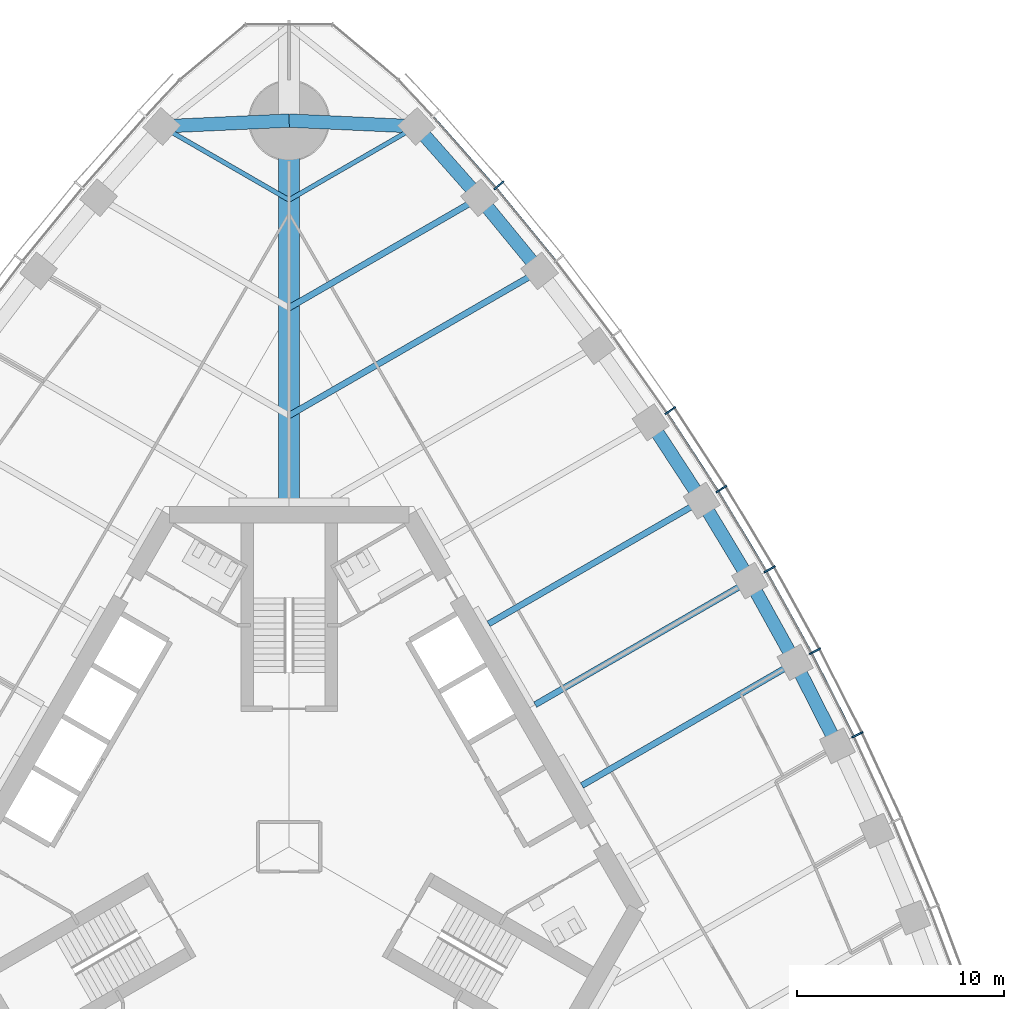
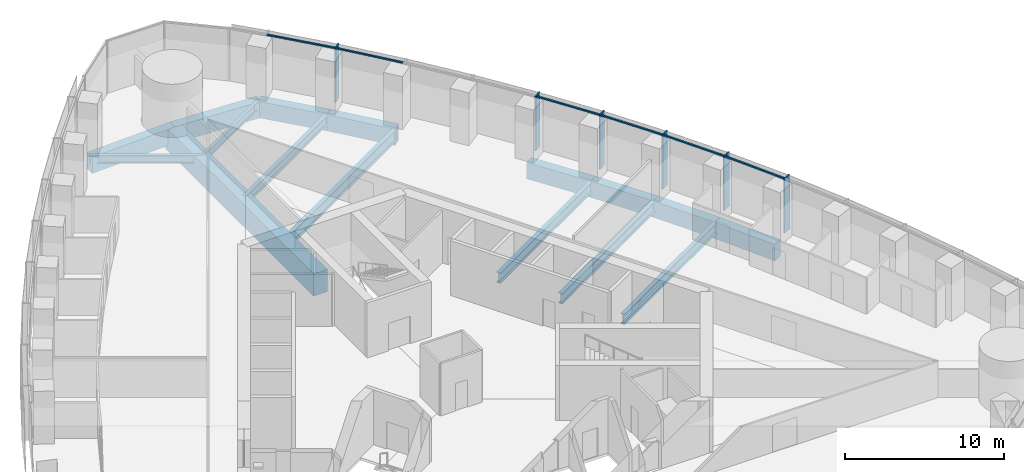
# One storey, part 6 of 19: 16 beams, 12 members, 1 element without a shape of its own.
"""IFC4 building model written with IfcOpenShell, lengths in metres."""

import ifcopenshell
import ifcopenshell.guid

model = None  # the IFC model being written
_history = None  # IfcOwnerHistory: only IFC2X3 demands one
_inside = {}  # id of a spatial element -> (the spatial element, [elements in it])
_under = {}  # id of a project, library or spatial element -> (it, [spatial elements below it])
_declared = {}  # id of a project -> (the project, [libraries it declares])
_typed = {}  # id of a type object -> (the type object, [elements of that type])
_made_of = {}  # id of a material, layer set ... -> (it, [elements and type objects made of it])


def new_model(schema):
    """Start an empty IFC model of exactly this schema.

    Asked for "IFC4X3", IfcOpenShell would pick the latest addendum, in which some entities
    have other attributes; the version numbers below select the first issue.
    IFC2X3 requires an IfcOwnerHistory on every rooted entity: one is made here for all.
    """
    global model, _history
    if schema == "IFC4X3":
        model = ifcopenshell.file(schema_version=(4, 3, 0, 0))
    else:
        model = ifcopenshell.file(schema=schema)
    _inside.clear()
    _under.clear()
    _declared.clear()
    _typed.clear()
    _made_of.clear()
    _history = None
    if model.schema == "IFC2X3":
        org = make("IfcOrganization", Name="unknown")
        user = make(
            "IfcPersonAndOrganization",
            ThePerson=make("IfcPerson", FamilyName="unknown"),
            TheOrganization=org,
        )
        app = make(
            "IfcApplication",
            ApplicationDeveloper=org,
            Version="unknown",
            ApplicationFullName="unknown",
            ApplicationIdentifier="unknown",
        )
        _history = make(
            "IfcOwnerHistory",
            OwningUser=user,
            OwningApplication=app,
            ChangeAction="ADDED",
            CreationDate=0,
        )
    return model


def make(cls, **values):
    """One entity of the class cls with the attributes given. An attribute that is None is left unset."""
    return model.create_entity(
        cls, **{name: value for name, value in values.items() if value is not None}
    )


def rooted(cls, **values):
    """An entity with a GlobalId (a new one), such as an element, a storey or a relation."""
    return make(cls, GlobalId=ifcopenshell.guid.new(), OwnerHistory=_history, **values)


def si_unit(unit_type, name, prefix=None):
    """IfcSIUnit, for example si_unit("LENGTHUNIT", "METRE", prefix="MILLI")."""
    return make("IfcSIUnit", UnitType=unit_type, Prefix=prefix, Name=name)


def assignment(units):
    """IfcUnitAssignment: the units of a project."""
    return None if units is None else make("IfcUnitAssignment", Units=units)


def point(xyz):
    """IfcCartesianPoint."""
    return None if xyz is None else make("IfcCartesianPoint", Coordinates=xyz)


def direction(xyz):
    """IfcDirection."""
    return None if xyz is None else make("IfcDirection", DirectionRatios=xyz)


def frame(location, z_axis=None, x_axis=None):
    """IfcAxis2Placement3D, a coordinate frame: its origin and axes. An axis left out is left unset."""
    return make(
        "IfcAxis2Placement3D",
        Location=point(location),
        Axis=direction(z_axis),
        RefDirection=direction(x_axis),
    )


def frame_2d(location, x_axis=None):
    """IfcAxis2Placement2D, a coordinate frame in the plane: its origin and x axis."""
    return make(
        "IfcAxis2Placement2D", Location=point(location), RefDirection=direction(x_axis)
    )


def origin():
    """The frame at (0, 0, 0) with its axes left unset."""
    return frame((0.0, 0.0, 0.0))


def origin_2d():
    """The frame at (0, 0) in the plane with its x axis left unset."""
    return frame_2d((0.0, 0.0))


def place(relative_to, where):
    """IfcLocalPlacement: puts the frame where relative to a parent placement (None: the world)."""
    return make(
        "IfcLocalPlacement", PlacementRelTo=relative_to, RelativePlacement=where
    )


def context(
    kind, dimensions, precision=None, world=None, true_north=None, identifier=None
):
    """IfcGeometricRepresentationContext, for example the 3D "Model" context."""
    return make(
        "IfcGeometricRepresentationContext",
        ContextIdentifier=identifier,
        ContextType=kind,
        CoordinateSpaceDimension=dimensions,
        Precision=precision,
        WorldCoordinateSystem=world,
        TrueNorth=true_north,
    )


def subcontext(parent, identifier, kind, view, scale=None):
    """IfcGeometricRepresentationSubContext, for example "Body" below "Model"."""
    return make(
        "IfcGeometricRepresentationSubContext",
        ContextIdentifier=identifier,
        ContextType=kind,
        ParentContext=parent,
        TargetScale=scale,
        TargetView=view,
    )


def project(units=None, contexts=None):
    """IfcProject with its units and contexts."""
    return rooted(
        "IfcProject",
        Name="project",
        RepresentationContexts=contexts,
        UnitsInContext=assignment(units),
    )


def spatial(cls, under=None, at=None, **own):
    """A site, building, storey or space (cls), placed at a placement, below another one or the project."""
    s = rooted(cls, ObjectPlacement=at, **own)
    if under is not None:
        _under.setdefault(under.id(), (under, []))[1].append(s)
    return s


def profile(cls, at=None, kind="AREA", **sizes):
    """A parametric profile (cls). Its sizes go by their IFC names, for example OverallWidth=200.0."""
    return make(cls, ProfileType=kind, Position=at, **sizes)


def rectangle(**sizes):
    """IfcRectangleProfileDef."""
    return profile("IfcRectangleProfileDef", **sizes)


def i_section(**sizes):
    """IfcIShapeProfileDef."""
    return profile("IfcIShapeProfileDef", **sizes)


def extrude(swept, where, along, depth):
    """IfcExtrudedAreaSolid: the profile swept, set in the frame where, extruded along a direction by depth."""
    return make(
        "IfcExtrudedAreaSolid",
        SweptArea=swept,
        Position=where,
        ExtrudedDirection=direction(along),
        Depth=depth,
    )


def shape(context_of_items, identifier, shape_type, items):
    """IfcShapeRepresentation: the items that make up one representation, for example the "Body"."""
    return make(
        "IfcShapeRepresentation",
        ContextOfItems=context_of_items,
        RepresentationIdentifier=identifier,
        RepresentationType=shape_type,
        Items=items,
    )


def material(Name=None, Category=None):
    """IfcMaterial."""
    return make("IfcMaterial", Name=Name, Category=Category)


def material_profile(
    of_material, cross_section, Name=None, Category=None, Priority=None
):
    """IfcMaterialProfile: a cross section and its material."""
    return make(
        "IfcMaterialProfile",
        Name=Name,
        Material=of_material,
        Profile=cross_section,
        Priority=Priority,
        Category=Category,
    )


def profile_set(profiles, Name=None, composite=None):
    """IfcMaterialProfileSet."""
    return make(
        "IfcMaterialProfileSet",
        Name=Name,
        MaterialProfiles=profiles,
        CompositeProfile=composite,
    )


def made_of(thing, what):
    """Note that an element or type object is made of a material, layer set ...; save() writes the relation."""
    if what is not None:
        _made_of.setdefault(what.id(), (what, []))[1].append(thing)
    return thing


def type_object(cls, material=None, **own):
    """A type object (cls), such as IfcWallType, which elements share."""
    return made_of(rooted(cls, **own), material)


def element(
    cls,
    number,
    at=None,
    inside=None,
    cuts=None,
    type_object=None,
    material=None,
    context=None,
    identifier="Body",
    shape_type=None,
    held_by="IfcProductDefinitionShape",
    body=None,
    shapes=None,
    **own,
):
    """One element of the class cls, such as IfcWall. Its Tag is "e" and its number.

    at: its placement. inside: the storey or other place that contains it. cuts: it is an
    opening in that element (IfcRelVoidsElement). A single representation is given by context,
    identifier, shape_type and body (its items); several are given by shapes. held_by: the class
    of the entity that holds the representations. save() writes the other relations.
    """
    e = rooted(cls, Tag="e%d" % number, ObjectPlacement=at, **own)
    if body is not None:
        shapes = [shape(context, identifier, shape_type, body)]
    if shapes is not None:
        e.Representation = make(held_by, Representations=shapes)
    if inside is not None:
        _inside.setdefault(inside.id(), (inside, []))[1].append(e)
    if cuts is not None:
        rooted(
            "IfcRelVoidsElement", RelatingBuildingElement=cuts, RelatedOpeningElement=e
        )
    if type_object is not None:
        _typed.setdefault(type_object.id(), (type_object, []))[1].append(e)
    return made_of(e, material)


def aggregate(whole, parts):
    """IfcRelAggregates: a whole, such as a stair, and the parts it consists of."""
    return rooted("IfcRelAggregates", RelatingObject=whole, RelatedObjects=parts)


def save(model, path):
    """Write the relations noted so far, then the file.

    IfcRelAggregates (storeys below a building ...), IfcRelContainedInSpatialStructure (elements
    in a storey), IfcRelDefinesByType, IfcRelAssociatesMaterial and IfcRelDeclares: one each for
    every whole, place, type object, material and project.
    """
    for whole, parts in _under.values():
        aggregate(whole, parts)
    for where, things in _inside.values():
        rooted(
            "IfcRelContainedInSpatialStructure",
            RelatedElements=things,
            RelatingStructure=where,
        )
    for kind, things in _typed.values():
        rooted("IfcRelDefinesByType", RelatedObjects=things, RelatingType=kind)
    for what, things in _made_of.values():
        rooted("IfcRelAssociatesMaterial", RelatedObjects=things, RelatingMaterial=what)
    for by, libraries in _declared.values():
        rooted("IfcRelDeclares", RelatingContext=by, RelatedDefinitions=libraries)
    model.write(path)


model = new_model("IFC4")

# Units and contexts
model_context = context("Model", 3, precision=1e-05, world=origin(), true_north=direction((0.0, 1.0)))
body_context = subcontext(model_context, "Body", "Model", "MODEL_VIEW")
ifc_project = project(units=[si_unit("LENGTHUNIT", "METRE"), si_unit("AREAUNIT", "SQUARE_METRE"), si_unit("VOLUMEUNIT", "CUBIC_METRE"), si_unit("PLANEANGLEUNIT", "RADIAN"), si_unit("MASSUNIT", "GRAM", prefix="KILO")], contexts=[model_context])

# Site, building, storey
site_placement = place(None, origin())
site = spatial("IfcSite", under=ifc_project, at=site_placement, CompositionType="ELEMENT")
building_placement = place(site_placement, origin())
building = spatial("IfcBuilding", under=site, at=building_placement, Name="Trefoil Bronze Tower", CompositionType="ELEMENT")
storey_placement = place(building_placement, frame((0.0, 0.0, 128.300048828125)))
storey = spatial("IfcBuildingStorey", under=building, at=storey_placement, Name="L29", CompositionType="ELEMENT", Elevation=128.300048828125)

# Curtain wall, members
ifc_material_1 = material(Name="Tinted solar-control glass", Category="glass")
curtain_wall_type = type_object("IfcCurtainWallType", Name="Bronze office curtain wall", PredefinedType="USERDEFINED", material=ifc_material_1)
curtain_wall_placement = place(storey_placement, origin())
curtain_wall = element("IfcCurtainWall", 1, at=curtain_wall_placement, inside=storey, type_object=curtain_wall_type, Name="CW-A L29 F2", ObjectType="CURTAIN WALL", PredefinedType="USERDEFINED")
ifc_material_2 = material(Name="Bronze-finish aluminium", Category="aluminium")
ifc_material_profile_1 = material_profile(ifc_material_2, rectangle(XDim=0.60009765625, YDim=0.080078125, at=origin_2d()), Name="CW-A mullion")
ifc_profile_set_1 = profile_set([ifc_material_profile_1], Name="Bronze-finish aluminium")
member_type_1 = type_object("IfcMemberType", Name="Bronze office curtain wall mullion", PredefinedType="MULLION", material=ifc_profile_set_1)
member_1_placement = place(storey_placement, frame((27.394775390625, 5.399169921875, 0.0), z_axis=(0.0, 0.0, 1.0), x_axis=(-0.899819602033, -0.436262173236, 0.0)))
member_1 = element("IfcMember", 2, at=member_1_placement, type_object=member_type_1, Name="CW-A L29 F2 mullion 6", PredefinedType="MULLION", context=body_context, shape_type="SweptSolid", body=[
    extrude(rectangle(XDim=0.60009765625, YDim=0.080078125, at=origin_2d()), origin(), (0.0, 0.0, 1.0), 4.179931640625),
])
member_2_placement = place(storey_placement, frame((25.350830078125, 9.427734375, 0.0), z_axis=(0.0, 0.0, 1.0), x_axis=(-0.883486441467, -0.468456729853, 0.0)))
member_2 = element("IfcMember", 3, at=member_2_placement, type_object=member_type_1, Name="CW-A L29 F2 mullion 7", PredefinedType="MULLION", context=body_context, shape_type="SweptSolid", body=[
    extrude(rectangle(XDim=0.60009765625, YDim=0.080078125, at=origin_2d()), origin(), (0.0, 0.0, 1.0), 4.179931640625),
])
member_3_placement = place(storey_placement, frame((23.166015625, 13.374755859375, 0.0), z_axis=(0.0, 0.0, 1.0), x_axis=(-0.866025403784, -0.5, 0.0)))
member_3 = element("IfcMember", 4, at=member_3_placement, type_object=member_type_1, Name="CW-A L29 F2 mullion 8", PredefinedType="MULLION", context=body_context, shape_type="SweptSolid", body=[
    extrude(rectangle(XDim=0.60009765625, YDim=0.080078125, at=origin_2d()), origin(), (0.0, 0.0, 1.0), 4.179931640625),
])
member_4_placement = place(storey_placement, frame((20.840087890625, 17.24072265625, 0.0), z_axis=(0.0, 0.0, 1.0), x_axis=(-0.84743864936, -0.530893337283, 0.0)))
member_4 = element("IfcMember", 5, at=member_4_placement, type_object=member_type_1, Name="CW-A L29 F2 mullion 9", PredefinedType="MULLION", context=body_context, shape_type="SweptSolid", body=[
    extrude(rectangle(XDim=0.60009765625, YDim=0.080078125, at=origin_2d()), origin(), (0.0, 0.0, 1.0), 4.179931640625),
])
member_5_placement = place(storey_placement, frame((18.373046875, 21.025146484375, 0.0), z_axis=(0.0, 0.0, 1.0), x_axis=(-0.827723925749, -0.561135547566, 0.0)))
member_5 = element("IfcMember", 6, at=member_5_placement, type_object=member_type_1, Name="CW-A L29 F2 mullion 10", PredefinedType="MULLION", context=body_context, shape_type="SweptSolid", body=[
    extrude(rectangle(XDim=0.60009765625, YDim=0.080078125, at=origin_2d()), origin(), (0.0, 0.0, 1.0), 4.179931640625),
])
member_6_placement = place(storey_placement, frame((10.11474609375, 31.8828125, 0.0), z_axis=(0.0, 0.0, 1.0), x_axis=(-0.761721651066, -0.647904411389, 0.0)))
member_6 = element("IfcMember", 7, at=member_6_placement, type_object=member_type_1, Name="CW-A L29 F2 mullion 13", PredefinedType="MULLION", context=body_context, shape_type="SweptSolid", body=[
    extrude(rectangle(XDim=0.60009765625, YDim=0.080078125, at=origin_2d()), origin(), (0.0, 0.0, 1.0), 4.179931640625),
])
ifc_material_3 = material(Name="Bronze-finish aluminium", Category="aluminium")
ifc_material_profile_2 = material_profile(ifc_material_3, rectangle(XDim=0.1201171875, YDim=0.10009765625, at=origin_2d()), Name="CW-A transom")
ifc_profile_set_2 = profile_set([ifc_material_profile_2], Name="Bronze-finish aluminium")
member_type_2 = type_object("IfcMemberType", Name="Bronze office curtain wall transom", PredefinedType="USERDEFINED", material=ifc_profile_set_2)
member_7_placement = place(storey_placement, frame((27.196044921875, 5.34912109375, 4.1298828125), z_axis=(-0.452478489814, 0.891775317138, 0.0), x_axis=(-0.891775317138, -0.452478489814, 0.0)))
member_7 = element("IfcMember", 8, at=member_7_placement, type_object=member_type_2, Name="CW-A L29 F2 transom 6", ObjectType="TRANSOM", PredefinedType="USERDEFINED", context=body_context, shape_type="SweptSolid", body=[
    extrude(rectangle(XDim=0.1201171875, YDim=0.10009765625, at=origin_2d()), origin(), (0.0, 0.0, 1.0), 4.426513671875),
])
member_8_placement = place(storey_placement, frame((25.154052734375, 9.37060546875, 4.1298828125), z_axis=(-0.484329470343, 0.874885686337, 0.0), x_axis=(-0.874885686337, -0.484329470343, 0.0)))
member_8 = element("IfcMember", 9, at=member_8_placement, type_object=member_type_2, Name="CW-A L29 F2 transom 7", ObjectType="TRANSOM", PredefinedType="USERDEFINED", context=body_context, shape_type="SweptSolid", body=[
    extrude(rectangle(XDim=0.1201171875, YDim=0.10009765625, at=origin_2d()), origin(), (0.0, 0.0, 1.0), 4.4208984375),
])
member_9_placement = place(storey_placement, frame((22.97119140625, 13.310546875, 4.1298828125), z_axis=(-0.515526794174, 0.856873458854, 0.0), x_axis=(-0.856873458854, -0.515526794174, 0.0)))
member_9 = element("IfcMember", 10, at=member_9_placement, type_object=member_type_2, Name="CW-A L29 F2 transom 8", ObjectType="TRANSOM", PredefinedType="USERDEFINED", context=body_context, shape_type="SweptSolid", body=[
    extrude(rectangle(XDim=0.1201171875, YDim=0.10009765625, at=origin_2d()), origin(), (0.0, 0.0, 1.0), 4.4208984375),
])
member_10_placement = place(storey_placement, frame((20.647705078125, 17.16943359375, 4.1298828125), z_axis=(-0.546079336226, 0.837733465099, 0.0), x_axis=(-0.837733465099, -0.546079336226, 0.0)))
member_10 = element("IfcMember", 11, at=member_10_placement, type_object=member_type_2, Name="CW-A L29 F2 transom 9", ObjectType="TRANSOM", PredefinedType="USERDEFINED", context=body_context, shape_type="SweptSolid", body=[
    extrude(rectangle(XDim=0.1201171875, YDim=0.10009765625, at=origin_2d()), origin(), (0.0, 0.0, 1.0), 4.426513671875),
])
member_11_placement = place(storey_placement, frame((12.82861328125, 28.255615234375, 4.1298828125), z_axis=(-0.633848872297, 0.773456919995, 0.0), x_axis=(-0.773456919995, -0.633848872297, 0.0)))
member_11 = element("IfcMember", 12, at=member_11_placement, type_object=member_type_2, Name="CW-A L29 F2 transom 12", ObjectType="TRANSOM", PredefinedType="USERDEFINED", context=body_context, shape_type="SweptSolid", body=[
    extrude(rectangle(XDim=0.1201171875, YDim=0.10009765625, at=origin_2d()), origin(), (0.0, 0.0, 1.0), 4.480224609375),
])
member_12_placement = place(storey_placement, frame((9.9345703125, 31.78466796875, 4.1298828125), z_axis=(-0.66173618877, 0.749736764786, 0.0), x_axis=(-0.749736764786, -0.66173618877, 0.0)))
member_12 = element("IfcMember", 13, at=member_12_placement, type_object=member_type_2, Name="CW-A L29 F2 transom 13", ObjectType="TRANSOM", PredefinedType="USERDEFINED", context=body_context, shape_type="SweptSolid", body=[
    extrude(rectangle(XDim=0.1201171875, YDim=0.10009765625, at=origin_2d()), origin(), (0.0, 0.0, 1.0), 4.510986328125),
])
aggregate(curtain_wall, [member_1, member_2, member_3, member_4, member_5, member_6, member_7, member_8, member_9, member_10, member_11, member_12])

# Beams
ifc_material_4 = material(Name="Concrete B80", Category="concrete")
ifc_material_profile_3 = material_profile(ifc_material_4, rectangle(XDim=1.0, YDim=1.699951171875, at=origin_2d()), Name="RC 1000x1700")
ifc_profile_set_3 = profile_set([ifc_material_profile_3], Name="Concrete B80")
beam_type_1 = type_object("IfcBeamType", Name="Corner girder RC 1000x1700", PredefinedType="BEAM", material=ifc_profile_set_3)
beam_1_placement = place(storey_placement, frame((0.0, 16.39990234375, -1.050048828125), z_axis=(0.0, 1.0, 0.0), x_axis=(-1.0, 0.0, 0.0)))
element("IfcBeam", 14, at=beam_1_placement, inside=storey, type_object=beam_type_1, Name="Corner girder K2 L29", PredefinedType="BEAM", context=body_context, shape_type="SweptSolid", body=[
    extrude(rectangle(XDim=1.0, YDim=1.699951171875, at=origin_2d()), origin(), (0.0, 0.0, 1.0), 18.60009765625),
])
ifc_material_5 = material(Name="Concrete B80", Category="concrete")
ifc_material_profile_4 = material_profile(ifc_material_5, rectangle(XDim=0.64990234375, YDim=1.25, at=origin_2d()), Name="RC 650x1250")
ifc_profile_set_4 = profile_set([ifc_material_profile_4], Name="Concrete B80")
beam_type_2 = type_object("IfcBeamType", Name="End spandrel beam RC 650x1250", PredefinedType="SPANDREL", material=ifc_profile_set_4)
for number, where, z_axis, x_axis, name in (
    (15, (6.13916015625, 34.72119140625, -0.824951171875), (-0.998970341464, 0.045368015985, 0.0), (-0.045368015985, -0.998970341464, 0.0), "Spandrel F2.14 L29"),
    (16, (0.0, 35.0, -0.824951171875), (-0.998970341464, -0.045368015985, 0.0), (0.045368015985, -0.998970341464, 0.0), "Spandrel F3.1 L29"),
):
    element("IfcBeam", number, at=place(storey_placement, frame(where, z_axis=z_axis, x_axis=x_axis)), inside=storey, type_object=beam_type_2, Name=name, PredefinedType="SPANDREL", context=body_context, shape_type="SweptSolid", body=[
        extrude(rectangle(XDim=0.64990234375, YDim=1.25, at=origin_2d()), origin(), (0.0, 0.0, 1.0), 6.1455078125),
    ])
ifc_material_6 = material(Name="Steel C355", Category="steel")
ifc_material_profile_5 = material_profile(ifc_material_6, i_section(OverallWidth=0.300048828125, OverallDepth=0.699951171875, WebThickness=0.01708984375, FlangeThickness=0.031982421875, FilletRadius=0.027099609375, at=origin_2d()), Name="HEB 700")
ifc_profile_set_5 = profile_set([ifc_material_profile_5], Name="Steel C355")
beam_type_3 = type_object("IfcBeamType", Name="Floor beam HEB 700", PredefinedType="BEAM", material=ifc_profile_set_5)
beam_2_placement = place(storey_placement, frame((9.181884765625, 31.281982421875, -0.550048828125), z_axis=(-0.866021079084, -0.500007490527, 0.0), x_axis=(0.500007490527, -0.866021079084, 0.0)))
element("IfcBeam", 17, at=beam_2_placement, inside=storey, type_object=beam_type_3, Name="Floor beam F2/+5 L29", PredefinedType="BEAM", context=body_context, shape_type="SweptSolid", body=[
    extrude(i_section(OverallWidth=0.300048828125, OverallDepth=0.699951171875, WebThickness=0.01708984375, FlangeThickness=0.031982421875, FilletRadius=0.027099609375, at=origin_2d()), origin(), (0.0, 0.0, 1.0), 10.602294921875),
])
ifc_material_7 = material(Name="Steel C355", Category="steel")
ifc_material_profile_6 = material_profile(ifc_material_7, i_section(OverallWidth=0.300048828125, OverallDepth=0.800048828125, WebThickness=0.017578125, FlangeThickness=0.032958984375, FilletRadius=0.030029296875, at=origin_2d()), Name="HEB 800")
ifc_profile_set_6 = profile_set([ifc_material_profile_6], Name="Steel C355")
beam_type_4 = type_object("IfcBeamType", Name="Floor beam HEB 800", PredefinedType="BEAM", material=ifc_profile_set_6)
beam_3_placement = place(storey_placement, frame((24.392578125, 8.886962890625, -0.60009765625), z_axis=(-0.866024236736, -0.500002021381, 0.0), x_axis=(0.500002021381, -0.866024236736, 0.0)))
element("IfcBeam", 18, at=beam_3_placement, inside=storey, type_object=beam_type_4, Name="Floor beam F2/-1 L29", PredefinedType="BEAM", context=body_context, shape_type="SweptSolid", body=[
    extrude(i_section(OverallWidth=0.300048828125, OverallDepth=0.800048828125, WebThickness=0.017578125, FlangeThickness=0.032958984375, FilletRadius=0.030029296875, at=origin_2d()), origin(), (0.0, 0.0, 1.0), 11.8681640625),
])
beam_4_placement = place(storey_placement, frame((22.21337890625, 12.824951171875, -0.60009765625), z_axis=(-0.866028062731, -0.499995394541, 0.0), x_axis=(0.499995394541, -0.866028062731, 0.0)))
element("IfcBeam", 19, at=beam_4_placement, inside=storey, type_object=beam_type_4, Name="Floor beam F2/+0 L29", PredefinedType="BEAM", context=body_context, shape_type="SweptSolid", body=[
    extrude(i_section(OverallWidth=0.300048828125, OverallDepth=0.800048828125, WebThickness=0.017578125, FlangeThickness=0.032958984375, FilletRadius=0.030029296875, at=origin_2d()), origin(), (0.0, 0.0, 1.0), 11.94970703125),
])
beam_5_placement = place(storey_placement, frame((19.892578125, 16.68115234375, -0.60009765625), z_axis=(-0.866024236736, -0.500002021381, 0.0), x_axis=(0.500002021381, -0.866024236736, 0.0)))
element("IfcBeam", 20, at=beam_5_placement, inside=storey, type_object=beam_type_4, Name="Floor beam F2/+1 L29", PredefinedType="BEAM", context=body_context, shape_type="SweptSolid", body=[
    extrude(i_section(OverallWidth=0.300048828125, OverallDepth=0.800048828125, WebThickness=0.017578125, FlangeThickness=0.032958984375, FilletRadius=0.030029296875, at=origin_2d()), origin(), (0.0, 0.0, 1.0), 11.8681640625),
])
ifc_material_8 = material(Name="Steel C355", Category="steel")
ifc_material_profile_7 = material_profile(ifc_material_8, i_section(OverallWidth=0.300048828125, OverallDepth=0.89990234375, WebThickness=0.0185546875, FlangeThickness=0.034912109375, FilletRadius=0.030029296875, at=origin_2d()), Name="HEB 900")
ifc_profile_set_7 = profile_set([ifc_material_profile_7], Name="Steel C355")
beam_type_5 = type_object("IfcBeamType", Name="Floor beam HEB 900", PredefinedType="BEAM", material=ifc_profile_set_7)
beam_6_placement = place(storey_placement, frame((12.07666015625, 27.757080078125, -0.650146484375), z_axis=(-0.866026983775, -0.499997263366, 0.0), x_axis=(0.499997263366, -0.866026983775, 0.0)))
element("IfcBeam", 21, at=beam_6_placement, inside=storey, type_object=beam_type_5, Name="Floor beam F2/+4 L29", PredefinedType="BEAM", context=body_context, shape_type="SweptSolid", body=[
    extrude(i_section(OverallWidth=0.300048828125, OverallDepth=0.89990234375, WebThickness=0.0185546875, FlangeThickness=0.034912109375, FilletRadius=0.030029296875, at=origin_2d()), origin(), (0.0, 0.0, 1.0), 13.94482421875),
])
ifc_material_9 = material(Name="Steel C355", Category="steel")
ifc_material_profile_8 = material_profile(ifc_material_9, i_section(OverallWidth=0.219970703125, OverallDepth=0.60009765625, WebThickness=0.011962890625, FlangeThickness=0.01904296875, FilletRadius=0.02392578125, at=origin_2d()), Name="IPE 600")
ifc_profile_set_8 = profile_set([ifc_material_profile_8], Name="Steel C355")
beam_type_6 = type_object("IfcBeamType", Name="Floor beam IPE 600", PredefinedType="BEAM", material=ifc_profile_set_8)
for number, where, z_axis, x_axis, name in (
    (22, (6.13916015625, 34.72119140625, -0.5), (-0.866041060244, -0.499972881236, 0.0), (0.499972881236, -0.866041060244, 0.0), "Floor beam F2/+6 L29"),
    (23, (-6.13916015625, 34.72119140625, -0.5), (0.866041060244, -0.499972881236, 0.0), (0.499972881236, 0.866041060244, 0.0), "Floor beam F3/-6 L29"),
):
    element("IfcBeam", number, at=place(storey_placement, frame(where, z_axis=z_axis, x_axis=x_axis)), inside=storey, type_object=beam_type_6, Name=name, PredefinedType="BEAM", context=body_context, shape_type="SweptSolid", body=[
        extrude(i_section(OverallWidth=0.219970703125, OverallDepth=0.60009765625, WebThickness=0.011962890625, FlangeThickness=0.01904296875, FilletRadius=0.02392578125, at=origin_2d()), origin(), (0.0, 0.0, 1.0), 7.0888671875),
    ])
ifc_material_10 = material(Name="Concrete B80", Category="concrete")
ifc_material_profile_9 = material_profile(ifc_material_10, rectangle(XDim=0.64990234375, YDim=1.25, at=origin_2d()), Name="RC 650x1250")
ifc_profile_set_9 = profile_set([ifc_material_profile_9], Name="Concrete B80")
beam_type_7 = type_object("IfcBeamType", Name="Spandrel beam RC 650x1250", PredefinedType="SPANDREL", material=ifc_profile_set_9)
beam_7_placement = place(storey_placement, frame((26.43017578125, 4.8671875, -0.824951171875), z_axis=(-0.452125717735, 0.891954222683, 0.0), x_axis=(-0.891954222683, -0.452125717735, 0.0)))
element("IfcBeam", 24, at=beam_7_placement, inside=storey, type_object=beam_type_7, Name="Spandrel F2.6 L29", PredefinedType="SPANDREL", context=body_context, shape_type="SweptSolid", body=[
    extrude(rectangle(XDim=0.64990234375, YDim=1.25, at=origin_2d()), origin(), (0.0, 0.0, 1.0), 4.506591796875),
])
for number, where, z_axis, x_axis, name in (
    (25, (24.392578125, 8.886962890625, -0.824951171875), (-0.484186866546, 0.874964615436, 0.0), (-0.874964615436, -0.484186866546, 0.0), "Spandrel F2.7 L29"),
    (26, (22.21337890625, 12.824951171875, -0.824951171875), (-0.515651979972, 0.856798129988, 0.0), (-0.856798129988, -0.515651979972, 0.0), "Spandrel F2.8 L29"),
):
    element("IfcBeam", number, at=place(storey_placement, frame(where, z_axis=z_axis, x_axis=x_axis)), inside=storey, type_object=beam_type_7, Name=name, PredefinedType="SPANDREL", context=body_context, shape_type="SweptSolid", body=[
        extrude(rectangle(XDim=0.64990234375, YDim=1.25, at=origin_2d()), origin(), (0.0, 0.0, 1.0), 4.500732421875),
    ])
beam_8_placement = place(storey_placement, frame((19.892578125, 16.68115234375, -0.824951171875), z_axis=(-0.546396670296, 0.83752652417, 0.0), x_axis=(-0.83752652417, -0.546396670296, 0.0)))
element("IfcBeam", 27, at=beam_8_placement, inside=storey, type_object=beam_type_7, Name="Spandrel F2.9 L29", PredefinedType="SPANDREL", context=body_context, shape_type="SweptSolid", body=[
    extrude(rectangle(XDim=0.64990234375, YDim=1.25, at=origin_2d()), origin(), (0.0, 0.0, 1.0), 4.506591796875),
])
beam_9_placement = place(storey_placement, frame((12.07666015625, 27.757080078125, -0.824951171875), z_axis=(-0.634650386838, 0.772799383079, 0.0), x_axis=(-0.772799383079, -0.634650386838, 0.0)))
element("IfcBeam", 28, at=beam_9_placement, inside=storey, type_object=beam_type_7, Name="Spandrel F2.12 L29", PredefinedType="SPANDREL", context=body_context, shape_type="SweptSolid", body=[
    extrude(rectangle(XDim=0.64990234375, YDim=1.25, at=origin_2d()), origin(), (0.0, 0.0, 1.0), 4.561279296875),
])
beam_10_placement = place(storey_placement, frame((9.181884765625, 31.281982421875, -0.824951171875), z_axis=(-0.662616326239, 0.748959013699, 0.0), x_axis=(-0.748959013699, -0.662616326239, 0.0)))
element("IfcBeam", 29, at=beam_10_placement, inside=storey, type_object=beam_type_7, Name="Spandrel F2.13 L29", PredefinedType="SPANDREL", context=body_context, shape_type="SweptSolid", body=[
    extrude(rectangle(XDim=0.64990234375, YDim=1.25, at=origin_2d()), origin(), (0.0, 0.0, 1.0), 4.592041015625),
])

save(model, "model.ifc")
